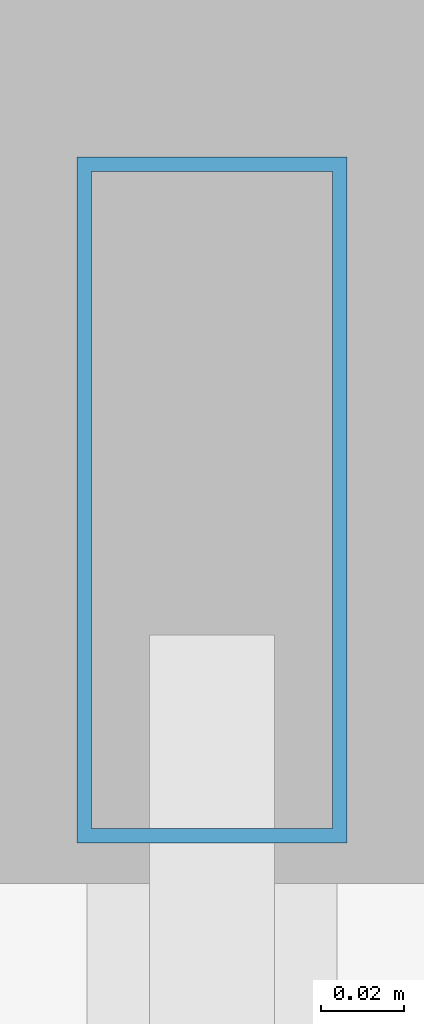
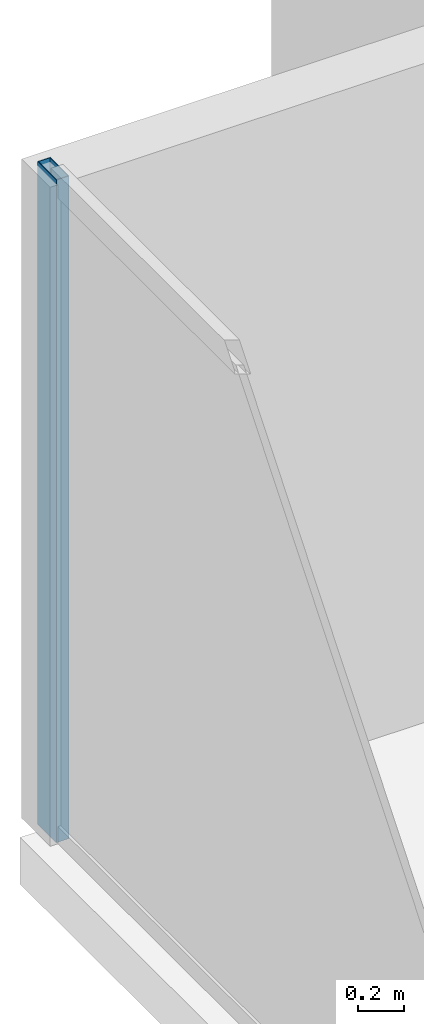
# One storey, part 12 of 24: 1 member, 1 element without a shape of its own.
"""IFC4 building model written with IfcOpenShell, lengths in metres."""

import ifcopenshell
import ifcopenshell.guid

model = None  # the IFC model being written
_history = None  # IfcOwnerHistory: only IFC2X3 demands one
_inside = {}  # id of a spatial element -> (the spatial element, [elements in it])
_under = {}  # id of a project, library or spatial element -> (it, [spatial elements below it])
_declared = {}  # id of a project -> (the project, [libraries it declares])
_typed = {}  # id of a type object -> (the type object, [elements of that type])
_made_of = {}  # id of a material, layer set ... -> (it, [elements and type objects made of it])


def new_model(schema):
    """Start an empty IFC model of exactly this schema.

    Asked for "IFC4X3", IfcOpenShell would pick the latest addendum, in which some entities
    have other attributes; the version numbers below select the first issue.
    IFC2X3 requires an IfcOwnerHistory on every rooted entity: one is made here for all.
    """
    global model, _history
    if schema == "IFC4X3":
        model = ifcopenshell.file(schema_version=(4, 3, 0, 0))
    else:
        model = ifcopenshell.file(schema=schema)
    _inside.clear()
    _under.clear()
    _declared.clear()
    _typed.clear()
    _made_of.clear()
    _history = None
    if model.schema == "IFC2X3":
        org = make("IfcOrganization", Name="unknown")
        user = make(
            "IfcPersonAndOrganization",
            ThePerson=make("IfcPerson", FamilyName="unknown"),
            TheOrganization=org,
        )
        app = make(
            "IfcApplication",
            ApplicationDeveloper=org,
            Version="unknown",
            ApplicationFullName="unknown",
            ApplicationIdentifier="unknown",
        )
        _history = make(
            "IfcOwnerHistory",
            OwningUser=user,
            OwningApplication=app,
            ChangeAction="ADDED",
            CreationDate=0,
        )
    return model


def make(cls, **values):
    """One entity of the class cls with the attributes given. An attribute that is None is left unset."""
    return model.create_entity(
        cls, **{name: value for name, value in values.items() if value is not None}
    )


def rooted(cls, **values):
    """An entity with a GlobalId (a new one), such as an element, a storey or a relation."""
    return make(cls, GlobalId=ifcopenshell.guid.new(), OwnerHistory=_history, **values)


def si_unit(unit_type, name, prefix=None):
    """IfcSIUnit, for example si_unit("LENGTHUNIT", "METRE", prefix="MILLI")."""
    return make("IfcSIUnit", UnitType=unit_type, Prefix=prefix, Name=name)


def assignment(units):
    """IfcUnitAssignment: the units of a project."""
    return None if units is None else make("IfcUnitAssignment", Units=units)


def point(xyz):
    """IfcCartesianPoint."""
    return None if xyz is None else make("IfcCartesianPoint", Coordinates=xyz)


def direction(xyz):
    """IfcDirection."""
    return None if xyz is None else make("IfcDirection", DirectionRatios=xyz)


def frame(location, z_axis=None, x_axis=None):
    """IfcAxis2Placement3D, a coordinate frame: its origin and axes. An axis left out is left unset."""
    return make(
        "IfcAxis2Placement3D",
        Location=point(location),
        Axis=direction(z_axis),
        RefDirection=direction(x_axis),
    )


def frame_2d(location, x_axis=None):
    """IfcAxis2Placement2D, a coordinate frame in the plane: its origin and x axis."""
    return make(
        "IfcAxis2Placement2D", Location=point(location), RefDirection=direction(x_axis)
    )


def origin():
    """The frame at (0, 0, 0) with its axes left unset."""
    return frame((0.0, 0.0, 0.0))


def origin_2d():
    """The frame at (0, 0) in the plane with its x axis left unset."""
    return frame_2d((0.0, 0.0))


def place(relative_to, where):
    """IfcLocalPlacement: puts the frame where relative to a parent placement (None: the world)."""
    return make(
        "IfcLocalPlacement", PlacementRelTo=relative_to, RelativePlacement=where
    )


def context(
    kind, dimensions, precision=None, world=None, true_north=None, identifier=None
):
    """IfcGeometricRepresentationContext, for example the 3D "Model" context."""
    return make(
        "IfcGeometricRepresentationContext",
        ContextIdentifier=identifier,
        ContextType=kind,
        CoordinateSpaceDimension=dimensions,
        Precision=precision,
        WorldCoordinateSystem=world,
        TrueNorth=true_north,
    )


def subcontext(parent, identifier, kind, view, scale=None):
    """IfcGeometricRepresentationSubContext, for example "Body" below "Model"."""
    return make(
        "IfcGeometricRepresentationSubContext",
        ContextIdentifier=identifier,
        ContextType=kind,
        ParentContext=parent,
        TargetScale=scale,
        TargetView=view,
    )


def project(units=None, contexts=None):
    """IfcProject with its units and contexts."""
    return rooted(
        "IfcProject",
        Name="project",
        RepresentationContexts=contexts,
        UnitsInContext=assignment(units),
    )


def spatial(cls, under=None, at=None, **own):
    """A site, building, storey or space (cls), placed at a placement, below another one or the project."""
    s = rooted(cls, ObjectPlacement=at, **own)
    if under is not None:
        _under.setdefault(under.id(), (under, []))[1].append(s)
    return s


def profile(cls, at=None, kind="AREA", **sizes):
    """A parametric profile (cls). Its sizes go by their IFC names, for example OverallWidth=200.0."""
    return make(cls, ProfileType=kind, Position=at, **sizes)


def hollow_rectangle(**sizes):
    """IfcRectangleHollowProfileDef."""
    return profile("IfcRectangleHollowProfileDef", **sizes)


def extrude(swept, where, along, depth):
    """IfcExtrudedAreaSolid: the profile swept, set in the frame where, extruded along a direction by depth."""
    return make(
        "IfcExtrudedAreaSolid",
        SweptArea=swept,
        Position=where,
        ExtrudedDirection=direction(along),
        Depth=depth,
    )


def shape(context_of_items, identifier, shape_type, items):
    """IfcShapeRepresentation: the items that make up one representation, for example the "Body"."""
    return make(
        "IfcShapeRepresentation",
        ContextOfItems=context_of_items,
        RepresentationIdentifier=identifier,
        RepresentationType=shape_type,
        Items=items,
    )


def source(mapping_origin, context_of_items, identifier, shape_type, items):
    """IfcRepresentationMap: a shape defined once, which mapped items show again and again."""
    return make(
        "IfcRepresentationMap",
        MappingOrigin=mapping_origin,
        MappedRepresentation=shape(context_of_items, identifier, shape_type, items),
    )


def transform(
    local_origin,
    x_axis=None,
    y_axis=None,
    z_axis=None,
    scale=None,
    scale2=None,
    scale3=None,
    uniform=True,
):
    """IfcCartesianTransformationOperator3D, or its non-uniform kind. x_axis, y_axis, z_axis: its Axis1, 2, 3."""
    if uniform:
        return make(
            "IfcCartesianTransformationOperator3D",
            Axis1=direction(x_axis),
            Axis2=direction(y_axis),
            LocalOrigin=point(local_origin),
            Scale=scale,
            Axis3=direction(z_axis),
        )
    return make(
        "IfcCartesianTransformationOperator3DnonUniform",
        Axis1=direction(x_axis),
        Axis2=direction(y_axis),
        LocalOrigin=point(local_origin),
        Scale=scale,
        Axis3=direction(z_axis),
        Scale2=scale2,
        Scale3=scale3,
    )


def mapped(mapping_source, mapping_target):
    """IfcMappedItem: shows the shape of a source again, moved by a transform."""
    return make(
        "IfcMappedItem", MappingSource=mapping_source, MappingTarget=mapping_target
    )


def material(Name=None, Category=None):
    """IfcMaterial."""
    return make("IfcMaterial", Name=Name, Category=Category)


def layer(
    of_material, thickness, ventilated=None, Name=None, Category=None, Priority=None
):
    """IfcMaterialLayer: one layer of a wall or slab, of a material (None: an air gap)."""
    return make(
        "IfcMaterialLayer",
        Material=of_material,
        LayerThickness=thickness,
        IsVentilated=ventilated,
        Name=Name,
        Category=Category,
        Priority=Priority,
    )


def layer_set(layers, Name=None):
    """IfcMaterialLayerSet."""
    return make("IfcMaterialLayerSet", MaterialLayers=layers, LayerSetName=Name)


def material_profile(
    of_material, cross_section, Name=None, Category=None, Priority=None
):
    """IfcMaterialProfile: a cross section and its material."""
    return make(
        "IfcMaterialProfile",
        Name=Name,
        Material=of_material,
        Profile=cross_section,
        Priority=Priority,
        Category=Category,
    )


def profile_set(profiles, Name=None, composite=None):
    """IfcMaterialProfileSet."""
    return make(
        "IfcMaterialProfileSet",
        Name=Name,
        MaterialProfiles=profiles,
        CompositeProfile=composite,
    )


def made_of(thing, what):
    """Note that an element or type object is made of a material, layer set ...; save() writes the relation."""
    if what is not None:
        _made_of.setdefault(what.id(), (what, []))[1].append(thing)
    return thing


def type_object(cls, material=None, **own):
    """A type object (cls), such as IfcWallType, which elements share."""
    return made_of(rooted(cls, **own), material)


def type_shapes(of_type, sources):
    """Give a type object the sources (RepresentationMaps) that its elements show as mapped items."""
    of_type.RepresentationMaps = sources


def element(
    cls,
    number,
    at=None,
    inside=None,
    cuts=None,
    type_object=None,
    material=None,
    context=None,
    identifier="Body",
    shape_type=None,
    held_by="IfcProductDefinitionShape",
    body=None,
    shapes=None,
    **own,
):
    """One element of the class cls, such as IfcWall. Its Tag is "e" and its number.

    at: its placement. inside: the storey or other place that contains it. cuts: it is an
    opening in that element (IfcRelVoidsElement). A single representation is given by context,
    identifier, shape_type and body (its items); several are given by shapes. held_by: the class
    of the entity that holds the representations. save() writes the other relations.
    """
    e = rooted(cls, Tag="e%d" % number, ObjectPlacement=at, **own)
    if body is not None:
        shapes = [shape(context, identifier, shape_type, body)]
    if shapes is not None:
        e.Representation = make(held_by, Representations=shapes)
    if inside is not None:
        _inside.setdefault(inside.id(), (inside, []))[1].append(e)
    if cuts is not None:
        rooted(
            "IfcRelVoidsElement", RelatingBuildingElement=cuts, RelatedOpeningElement=e
        )
    if type_object is not None:
        _typed.setdefault(type_object.id(), (type_object, []))[1].append(e)
    return made_of(e, material)


def aggregate(whole, parts):
    """IfcRelAggregates: a whole, such as a stair, and the parts it consists of."""
    return rooted("IfcRelAggregates", RelatingObject=whole, RelatedObjects=parts)


def save(model, path):
    """Write the relations noted so far, then the file.

    IfcRelAggregates (storeys below a building ...), IfcRelContainedInSpatialStructure (elements
    in a storey), IfcRelDefinesByType, IfcRelAssociatesMaterial and IfcRelDeclares: one each for
    every whole, place, type object, material and project.
    """
    for whole, parts in _under.values():
        aggregate(whole, parts)
    for where, things in _inside.values():
        rooted(
            "IfcRelContainedInSpatialStructure",
            RelatedElements=things,
            RelatingStructure=where,
        )
    for kind, things in _typed.values():
        rooted("IfcRelDefinesByType", RelatedObjects=things, RelatingType=kind)
    for what, things in _made_of.values():
        rooted("IfcRelAssociatesMaterial", RelatedObjects=things, RelatingMaterial=what)
    for by, libraries in _declared.values():
        rooted("IfcRelDeclares", RelatingContext=by, RelatedDefinitions=libraries)
    model.write(path)


model = new_model("IFC4")

# Units and contexts
model_context = context("Model", 3, precision=1e-05, world=origin(), true_north=direction((0.0, 1.0)))
body_context = subcontext(model_context, "Body", "Model", "MODEL_VIEW")
ifc_project = project(units=[si_unit("LENGTHUNIT", "METRE"), si_unit("AREAUNIT", "SQUARE_METRE"), si_unit("VOLUMEUNIT", "CUBIC_METRE"), si_unit("PLANEANGLEUNIT", "RADIAN"), si_unit("MASSUNIT", "GRAM", prefix="KILO")], contexts=[model_context])

# Site, building, storey
site_placement = place(None, origin())
site = spatial("IfcSite", under=ifc_project, at=site_placement, CompositionType="ELEMENT")
building_placement = place(site_placement, origin())
building = spatial("IfcBuilding", under=site, at=building_placement, Name="Varnel Quay Broadcast Tower", CompositionType="ELEMENT")
storey_placement = place(building_placement, frame((0.0, 0.0, 269.800048828125)))
storey = spatial("IfcBuildingStorey", under=building, at=storey_placement, Name="L67", CompositionType="ELEMENT", Elevation=269.800048828125)

# Curtain wall, member
ifc_material = material(Name="Anodised Bronze Aluminium 6063-T6", Category="aluminium")
ifc_layer = layer(ifc_material, 0.18994140625, Name="Anodised Bronze Aluminium 6063-T6")
ifc_layer_set = layer_set([ifc_layer], Name="Anodised Bronze Aluminium 6063-T6")
curtain_wall_type = type_object("IfcCurtainWallType", Name="CW_UpperTower", PredefinedType="NOTDEFINED", material=ifc_layer_set)
curtain_wall_placement = place(storey_placement, origin())
curtain_wall = element("IfcCurtainWall", 1, at=curtain_wall_placement, inside=storey, type_object=curtain_wall_type, Name="L67 West Unitised Curtain Wall", PredefinedType="NOTDEFINED")
ifc_material_profile = material_profile(ifc_material, hollow_rectangle(XDim=0.06494140625, YDim=0.1650390625, WallThickness=0.00341796875, at=origin_2d()), Name="ALU65X165X3.5")
ifc_profile_set = profile_set([ifc_material_profile], Name="Anodised Bronze Aluminium 6063-T6")
member_type = type_object("IfcMemberType", Name="Mull_CWS-03", PredefinedType="MULLION", material=ifc_profile_set)
shared_shape = source(origin(), body_context, "Body", "SweptSolid", [
    extrude(hollow_rectangle(XDim=0.06494140625, YDim=0.1650390625, WallThickness=0.00341796875, at=origin_2d()), origin(), (0.0, 0.0, 1.0), 3.550048828125),
])
type_shapes(member_type, [shared_shape])
member_placement = place(storey_placement, frame((12.14990234375, 43.5673828125, 0.0), z_axis=(0.0, 0.0, 1.0), x_axis=(-1.0, 0.0, 0.0)))
member = element("IfcMember", 2, at=member_placement, type_object=member_type, Name="CWS-03 mullion 3", PredefinedType="MULLION", context=body_context, shape_type="MappedRepresentation", body=[
    mapped(shared_shape, transform((0.0, 0.0, 0.0), x_axis=(1.0, 0.0, 0.0), y_axis=(0.0, 1.0, 0.0), z_axis=(0.0, 0.0, 1.0), scale=1.0)),
])
aggregate(curtain_wall, [member])

save(model, "model.ifc")
